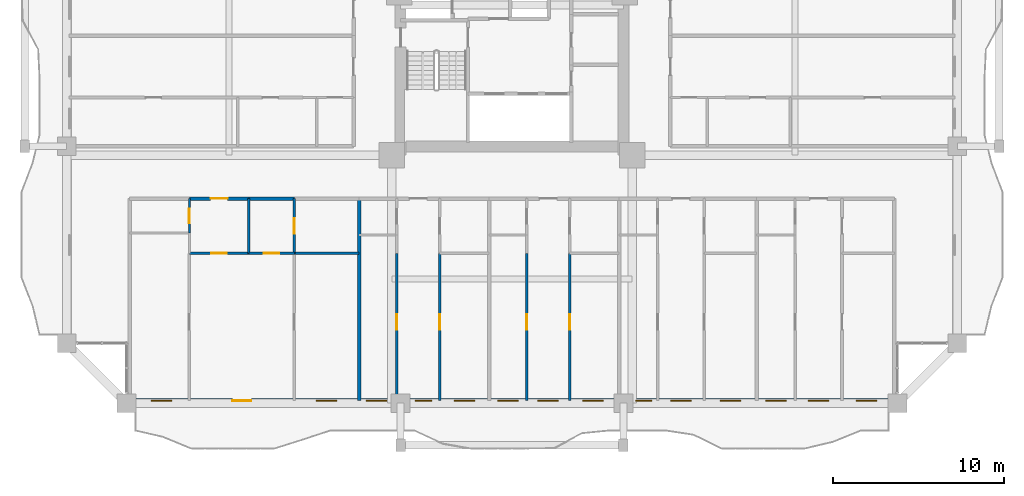
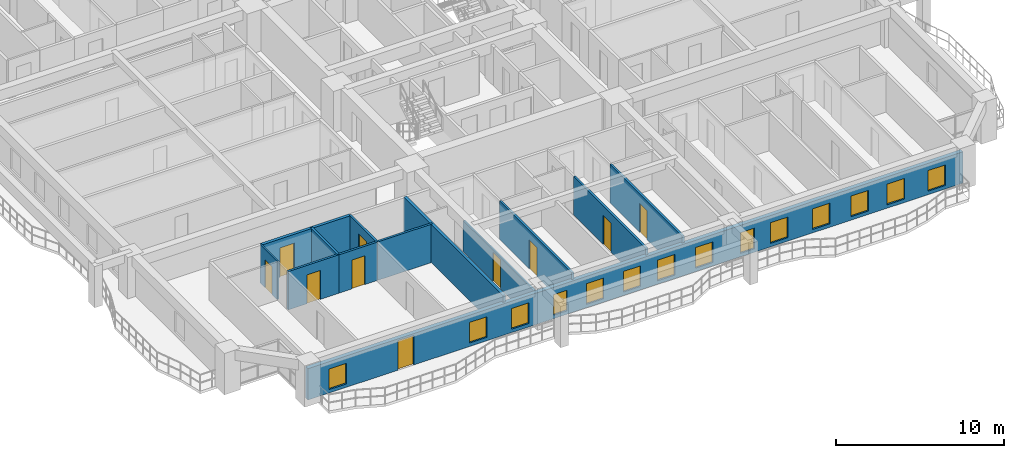
# One storey, part 14 of 28: 14 walls, 14 windows, 10 doors, 24 openings.
"""IFC4 building model written with IfcOpenShell, lengths in metres."""

from ifc_helpers import new_model, si_unit, direction, frame, frame_2d, origin, place, context, subcontext, project, spatial, rectangle, extrude, source, transform, mapped, material, layer, layer_set, type_object, element, fill, save


model = new_model("IFC4")

# Units and contexts
model_context = context("Model", 3, precision=1e-05, world=origin(), true_north=direction((0.0, 1.0)))
body_context = subcontext(model_context, "Body", "Model", "MODEL_VIEW")
ifc_project = project(units=[si_unit("LENGTHUNIT", "METRE"), si_unit("AREAUNIT", "SQUARE_METRE"), si_unit("VOLUMEUNIT", "CUBIC_METRE"), si_unit("PLANEANGLEUNIT", "RADIAN"), si_unit("MASSUNIT", "GRAM", prefix="KILO")], contexts=[model_context])

# Site, building, storey
site_placement = place(None, origin())
site = spatial("IfcSite", under=ifc_project, at=site_placement, CompositionType="ELEMENT")
building_placement = place(site_placement, origin())
building = spatial("IfcBuilding", under=site, at=building_placement, Name="Saelheon Loggia Tower", CompositionType="ELEMENT")
storey_placement = place(building_placement, frame((0.0, 0.0, 61.39990234375)))
storey = spatial("IfcBuildingStorey", under=building, at=storey_placement, Name="L19", CompositionType="ELEMENT", Elevation=61.39990234375)

# Wall, openings, windows, door
ifc_material_1 = material(Name="Architectural Precast Concrete C40/50", Category="concrete")
ifc_layer_1 = layer(ifc_material_1, 0.280029296875)
ifc_layer_set_1 = layer_set([ifc_layer_1], Name="Architectural Precast Concrete C40/50")
wall_type_1 = type_object("IfcWallType", Name="Wall_Ext_Loggia_280", PredefinedType="SOLIDWALL", material=ifc_layer_set_1)
wall_1_placement = place(storey_placement, frame((15.5, 3.139892578125, 0.0), z_axis=(0.0, 0.0, 1.0), x_axis=(1.0, 0.0, 0.0)))
wall_1 = element("IfcWall", 1, at=wall_1_placement, inside=storey, type_object=wall_type_1, Name="L19 South Loggia Inner Wall", PredefinedType="SOLIDWALL", context=body_context, shape_type="SweptSolid", body=[
    extrude(rectangle(XDim=45.0, YDim=0.280029296875, at=frame_2d((22.5, 0.0))), origin(), (0.0, 0.0, 1.0), 2.280029296875),
])
opening_1_placement = place(wall_1_placement, frame((1.42578125, 0.0, 0.25)))
opening_1 = element("IfcOpeningElement", 2, at=opening_1_placement, cuts=wall_1, Name="Opening WN-03", PredefinedType="OPENING", context=body_context, shape_type="SweptSolid", body=[
    extrude(rectangle(XDim=1.199951171875, YDim=1.5, at=frame_2d((0.60009765625, 0.75))), frame((0.0, 0.152099609375, 0.0), z_axis=(0.0, -1.0, 0.0), x_axis=(1.0, 0.0, 0.0)), (0.0, 0.0, 1.0), 0.303955078125),
])
opening_2_placement = place(wall_1_placement, frame((7.277587890625, 0.0, 0.0), z_axis=(0.0, 0.0, 1.0), x_axis=(-1.0, 0.0, 0.0)))
opening_2 = element("IfcOpeningElement", 3, at=opening_2_placement, cuts=wall_1, Name="Opening TD1", PredefinedType="OPENING", context=body_context, shape_type="SweptSolid", body=[
    extrude(rectangle(XDim=1.10009765625, YDim=2.14990234375, at=frame_2d((0.550048828125, 1.074951171875))), frame((0.0, 0.152099609375, 0.0), z_axis=(0.0, -1.0, 0.0), x_axis=(1.0, 0.0, 0.0)), (0.0, 0.0, 1.0), 0.303955078125),
])
opening_3_placement = place(wall_1_placement, frame((11.08251953125, 0.0, 0.25)))
opening_3 = element("IfcOpeningElement", 4, at=opening_3_placement, cuts=wall_1, Name="Opening WN-03", PredefinedType="OPENING", context=body_context, shape_type="SweptSolid", body=[
    extrude(rectangle(XDim=1.199951171875, YDim=1.5, at=frame_2d((0.60009765625, 0.75))), frame((0.0, 0.152099609375, 0.0), z_axis=(0.0, -1.0, 0.0), x_axis=(1.0, 0.0, 0.0)), (0.0, 0.0, 1.0), 0.303955078125),
])
opening_4_placement = place(wall_1_placement, frame((13.990966796875, 0.0, 0.25)))
opening_4 = element("IfcOpeningElement", 5, at=opening_4_placement, cuts=wall_1, Name="Opening WN-03", PredefinedType="OPENING", context=body_context, shape_type="SweptSolid", body=[
    extrude(rectangle(XDim=1.199951171875, YDim=1.5, at=frame_2d((0.60009765625, 0.75))), frame((0.0, 0.152099609375, 0.0), z_axis=(0.0, -1.0, 0.0), x_axis=(1.0, 0.0, 0.0)), (0.0, 0.0, 1.0), 0.303955078125),
])
opening_5_placement = place(wall_1_placement, frame((16.8583984375, 0.0, 0.25)))
opening_5 = element("IfcOpeningElement", 6, at=opening_5_placement, cuts=wall_1, Name="Opening WN-04", PredefinedType="OPENING", context=body_context, shape_type="SweptSolid", body=[
    extrude(rectangle(XDim=0.949951171875, YDim=1.5, at=frame_2d((0.47509765625, 0.75))), frame((0.0, 0.152099609375, 0.0), z_axis=(0.0, -1.0, 0.0), x_axis=(1.0, 0.0, 0.0)), (0.0, 0.0, 1.0), 0.303955078125),
])
opening_6_placement = place(wall_1_placement, frame((19.118896484375, 0.0, 0.25)))
opening_6 = element("IfcOpeningElement", 7, at=opening_6_placement, cuts=wall_1, Name="Opening WN-03", PredefinedType="OPENING", context=body_context, shape_type="SweptSolid", body=[
    extrude(rectangle(XDim=1.199951171875, YDim=1.5, at=frame_2d((0.60009765625, 0.75))), frame((0.0, 0.152099609375, 0.0), z_axis=(0.0, -1.0, 0.0), x_axis=(1.0, 0.0, 0.0)), (0.0, 0.0, 1.0), 0.303955078125),
])
opening_7_placement = place(wall_1_placement, frame((21.660888671875, 0.0, 0.25)))
opening_7 = element("IfcOpeningElement", 8, at=opening_7_placement, cuts=wall_1, Name="Opening WN-03", PredefinedType="OPENING", context=body_context, shape_type="SweptSolid", body=[
    extrude(rectangle(XDim=1.199951171875, YDim=1.5, at=frame_2d((0.60009765625, 0.75))), frame((0.0, 0.152099609375, 0.0), z_axis=(0.0, -1.0, 0.0), x_axis=(1.0, 0.0, 0.0)), (0.0, 0.0, 1.0), 0.303955078125),
])
opening_8_placement = place(wall_1_placement, frame((24.01318359375, 0.0, 0.25)))
opening_8 = element("IfcOpeningElement", 9, at=opening_8_placement, cuts=wall_1, Name="Opening WN-03", PredefinedType="OPENING", context=body_context, shape_type="SweptSolid", body=[
    extrude(rectangle(XDim=1.199951171875, YDim=1.5, at=frame_2d((0.60009765625, 0.75))), frame((0.0, 0.152099609375, 0.0), z_axis=(0.0, -1.0, 0.0), x_axis=(1.0, 0.0, 0.0)), (0.0, 0.0, 1.0), 0.303955078125),
])
opening_9_placement = place(wall_1_placement, frame((26.637939453125, 0.0, 0.25)))
opening_9 = element("IfcOpeningElement", 10, at=opening_9_placement, cuts=wall_1, Name="Opening WN-03", PredefinedType="OPENING", context=body_context, shape_type="SweptSolid", body=[
    extrude(rectangle(XDim=1.199951171875, YDim=1.5, at=frame_2d((0.60009765625, 0.75))), frame((0.0, 0.152099609375, 0.0), z_axis=(0.0, -1.0, 0.0), x_axis=(1.0, 0.0, 0.0)), (0.0, 0.0, 1.0), 0.303955078125),
])
opening_10_placement = place(wall_1_placement, frame((29.7197265625, 0.0, 0.25)))
opening_10 = element("IfcOpeningElement", 11, at=opening_10_placement, cuts=wall_1, Name="Opening WN-04", PredefinedType="OPENING", context=body_context, shape_type="SweptSolid", body=[
    extrude(rectangle(XDim=0.949951171875, YDim=1.5, at=frame_2d((0.47509765625, 0.75))), frame((0.0, 0.152099609375, 0.0), z_axis=(0.0, -1.0, 0.0), x_axis=(1.0, 0.0, 0.0)), (0.0, 0.0, 1.0), 0.303955078125),
])
opening_11_placement = place(wall_1_placement, frame((31.765380859375, 0.0, 0.25)))
opening_11 = element("IfcOpeningElement", 12, at=opening_11_placement, cuts=wall_1, Name="Opening WN-03", PredefinedType="OPENING", context=body_context, shape_type="SweptSolid", body=[
    extrude(rectangle(XDim=1.199951171875, YDim=1.5, at=frame_2d((0.60009765625, 0.75))), frame((0.0, 0.152099609375, 0.0), z_axis=(0.0, -1.0, 0.0), x_axis=(1.0, 0.0, 0.0)), (0.0, 0.0, 1.0), 0.303955078125),
])
opening_12_placement = place(wall_1_placement, frame((34.658203125, 0.0, 0.25)))
opening_12 = element("IfcOpeningElement", 13, at=opening_12_placement, cuts=wall_1, Name="Opening WN-03", PredefinedType="OPENING", context=body_context, shape_type="SweptSolid", body=[
    extrude(rectangle(XDim=1.199951171875, YDim=1.5, at=frame_2d((0.60009765625, 0.75))), frame((0.0, 0.152099609375, 0.0), z_axis=(0.0, -1.0, 0.0), x_axis=(1.0, 0.0, 0.0)), (0.0, 0.0, 1.0), 0.303955078125),
])
opening_13_placement = place(wall_1_placement, frame((37.309814453125, 0.0, 0.25)))
opening_13 = element("IfcOpeningElement", 14, at=opening_13_placement, cuts=wall_1, Name="Opening WN-03", PredefinedType="OPENING", context=body_context, shape_type="SweptSolid", body=[
    extrude(rectangle(XDim=1.199951171875, YDim=1.5, at=frame_2d((0.60009765625, 0.75))), frame((0.0, 0.152099609375, 0.0), z_axis=(0.0, -1.0, 0.0), x_axis=(1.0, 0.0, 0.0)), (0.0, 0.0, 1.0), 0.303955078125),
])
opening_14_placement = place(wall_1_placement, frame((39.800537109375, 0.0, 0.25)))
opening_14 = element("IfcOpeningElement", 15, at=opening_14_placement, cuts=wall_1, Name="Opening WN-03", PredefinedType="OPENING", context=body_context, shape_type="SweptSolid", body=[
    extrude(rectangle(XDim=1.199951171875, YDim=1.5, at=frame_2d((0.60009765625, 0.75))), frame((0.0, 0.152099609375, 0.0), z_axis=(0.0, -1.0, 0.0), x_axis=(1.0, 0.0, 0.0)), (0.0, 0.0, 1.0), 0.303955078125),
])
opening_15_placement = place(wall_1_placement, frame((42.58837890625, 0.0, 0.25)))
opening_15 = element("IfcOpeningElement", 16, at=opening_15_placement, cuts=wall_1, Name="Opening WN-03", PredefinedType="OPENING", context=body_context, shape_type="SweptSolid", body=[
    extrude(rectangle(XDim=1.199951171875, YDim=1.5, at=frame_2d((0.60009765625, 0.75))), frame((0.0, 0.152099609375, 0.0), z_axis=(0.0, -1.0, 0.0), x_axis=(1.0, 0.0, 0.0)), (0.0, 0.0, 1.0), 0.303955078125),
])
ifc_material_2 = material(Name="Thermal-Break Aluminium and Triple Low-E Glass", Category="aluminium")
window_type_1 = type_object("IfcWindowType", Name="Win_Bedroom_1200x1500", PartitioningType="SINGLE_PANEL", PredefinedType="WINDOW", material=ifc_material_2)
shared_shape_1 = source(origin(), body_context, "Body", "SweptSolid", [
    extrude(rectangle(XDim=1.199951171875, YDim=1.5, at=frame_2d((0.60009765625, 0.75))), frame((0.0, 0.030029296875, 0.0), z_axis=(0.0, -1.0, 0.0), x_axis=(1.0, 0.0, 0.0)), (0.0, 0.0, 1.0), 0.06005859375),
])
window_1_placement = place(opening_1_placement, origin())
window_1 = element("IfcWindow", 17, at=window_1_placement, inside=storey, type_object=window_type_1, Name="L19 S Dwelling Window 1", OverallHeight=1.5, OverallWidth=1.199951171875, PartitioningType="SINGLE_PANEL", PredefinedType="WINDOW", context=body_context, shape_type="MappedRepresentation", body=[
    mapped(shared_shape_1, transform((0.0, 0.0, 0.0), scale=1.0)),
])
fill(opening_1, window_1)
window_2_placement = place(opening_3_placement, origin())
window_2 = element("IfcWindow", 18, at=window_2_placement, inside=storey, type_object=window_type_1, Name="L19 S Dwelling Window 3", OverallHeight=1.5, OverallWidth=1.199951171875, PartitioningType="SINGLE_PANEL", PredefinedType="WINDOW", context=body_context, shape_type="MappedRepresentation", body=[
    mapped(shared_shape_1, transform((0.0, 0.0, 0.0), scale=1.0)),
])
fill(opening_3, window_2)
window_3_placement = place(opening_4_placement, origin())
window_3 = element("IfcWindow", 19, at=window_3_placement, inside=storey, type_object=window_type_1, Name="L19 S Dwelling Window 4", OverallHeight=1.5, OverallWidth=1.199951171875, PartitioningType="SINGLE_PANEL", PredefinedType="WINDOW", context=body_context, shape_type="MappedRepresentation", body=[
    mapped(shared_shape_1, transform((0.0, 0.0, 0.0), scale=1.0)),
])
fill(opening_4, window_3)
window_4_placement = place(opening_6_placement, origin())
window_4 = element("IfcWindow", 20, at=window_4_placement, inside=storey, type_object=window_type_1, Name="L19 S Dwelling Window 6", OverallHeight=1.5, OverallWidth=1.199951171875, PartitioningType="SINGLE_PANEL", PredefinedType="WINDOW", context=body_context, shape_type="MappedRepresentation", body=[
    mapped(shared_shape_1, transform((0.0, 0.0, 0.0), scale=1.0)),
])
fill(opening_6, window_4)
window_5_placement = place(opening_7_placement, origin())
window_5 = element("IfcWindow", 21, at=window_5_placement, inside=storey, type_object=window_type_1, Name="L19 S Dwelling Window 7", OverallHeight=1.5, OverallWidth=1.199951171875, PartitioningType="SINGLE_PANEL", PredefinedType="WINDOW", context=body_context, shape_type="MappedRepresentation", body=[
    mapped(shared_shape_1, transform((0.0, 0.0, 0.0), scale=1.0)),
])
fill(opening_7, window_5)
window_6_placement = place(opening_8_placement, origin())
window_6 = element("IfcWindow", 22, at=window_6_placement, inside=storey, type_object=window_type_1, Name="L19 S Dwelling Window 8", OverallHeight=1.5, OverallWidth=1.199951171875, PartitioningType="SINGLE_PANEL", PredefinedType="WINDOW", context=body_context, shape_type="MappedRepresentation", body=[
    mapped(shared_shape_1, transform((0.0, 0.0, 0.0), scale=1.0)),
])
fill(opening_8, window_6)
window_7_placement = place(opening_9_placement, origin())
window_7 = element("IfcWindow", 23, at=window_7_placement, inside=storey, type_object=window_type_1, Name="L19 S Dwelling Window 9", OverallHeight=1.5, OverallWidth=1.199951171875, PartitioningType="SINGLE_PANEL", PredefinedType="WINDOW", context=body_context, shape_type="MappedRepresentation", body=[
    mapped(shared_shape_1, transform((0.0, 0.0, 0.0), scale=1.0)),
])
fill(opening_9, window_7)
window_8_placement = place(opening_11_placement, origin())
window_8 = element("IfcWindow", 24, at=window_8_placement, inside=storey, type_object=window_type_1, Name="L19 S Dwelling Window 11", OverallHeight=1.5, OverallWidth=1.199951171875, PartitioningType="SINGLE_PANEL", PredefinedType="WINDOW", context=body_context, shape_type="MappedRepresentation", body=[
    mapped(shared_shape_1, transform((0.0, 0.0, 0.0), scale=1.0)),
])
fill(opening_11, window_8)
window_9_placement = place(opening_12_placement, origin())
window_9 = element("IfcWindow", 25, at=window_9_placement, inside=storey, type_object=window_type_1, Name="L19 S Dwelling Window 12", OverallHeight=1.5, OverallWidth=1.199951171875, PartitioningType="SINGLE_PANEL", PredefinedType="WINDOW", context=body_context, shape_type="MappedRepresentation", body=[
    mapped(shared_shape_1, transform((0.0, 0.0, 0.0), scale=1.0)),
])
fill(opening_12, window_9)
window_10_placement = place(opening_13_placement, origin())
window_10 = element("IfcWindow", 26, at=window_10_placement, inside=storey, type_object=window_type_1, Name="L19 S Dwelling Window 13", OverallHeight=1.5, OverallWidth=1.199951171875, PartitioningType="SINGLE_PANEL", PredefinedType="WINDOW", context=body_context, shape_type="MappedRepresentation", body=[
    mapped(shared_shape_1, transform((0.0, 0.0, 0.0), scale=1.0)),
])
fill(opening_13, window_10)
window_11_placement = place(opening_14_placement, origin())
window_11 = element("IfcWindow", 27, at=window_11_placement, inside=storey, type_object=window_type_1, Name="L19 S Dwelling Window 14", OverallHeight=1.5, OverallWidth=1.199951171875, PartitioningType="SINGLE_PANEL", PredefinedType="WINDOW", context=body_context, shape_type="MappedRepresentation", body=[
    mapped(shared_shape_1, transform((0.0, 0.0, 0.0), scale=1.0)),
])
fill(opening_14, window_11)
window_12_placement = place(opening_15_placement, origin())
window_12 = element("IfcWindow", 28, at=window_12_placement, inside=storey, type_object=window_type_1, Name="L19 S Dwelling Window 15", OverallHeight=1.5, OverallWidth=1.199951171875, PartitioningType="SINGLE_PANEL", PredefinedType="WINDOW", context=body_context, shape_type="MappedRepresentation", body=[
    mapped(shared_shape_1, transform((0.0, 0.0, 0.0), scale=1.0)),
])
fill(opening_15, window_12)
ifc_material_3 = material(Name="Thermal-Break Aluminium Glazed Door", Category="aluminium")
door_type_1 = type_object("IfcDoorType", Name="Door_Terrace_TD1", OperationType="NOTDEFINED", PredefinedType="DOOR", material=ifc_material_3)
shared_shape_2 = source(origin(), body_context, "Body", "SweptSolid", [
    extrude(rectangle(XDim=1.10009765625, YDim=2.14990234375, at=frame_2d((0.550048828125, 1.074951171875))), frame((0.0, 0.02490234375, 0.0), z_axis=(0.0, -1.0, 0.0), x_axis=(1.0, 0.0, 0.0)), (0.0, 0.0, 1.0), 0.050048828125),
])
door_1_placement = place(opening_2_placement, origin())
door_1 = element("IfcDoor", 29, at=door_1_placement, inside=storey, type_object=door_type_1, Name="L19 S Loggia Access Door", OperationType="SINGLE_SWING_RIGHT", OverallHeight=2.14990234375, OverallWidth=1.10009765625, PredefinedType="DOOR", context=body_context, shape_type="MappedRepresentation", body=[
    mapped(shared_shape_2, transform((0.0, 0.0, 0.0), scale=1.0)),
])
fill(opening_2, door_1)
window_type_2 = type_object("IfcWindowType", Name="Win_Narrow_950x1500", PartitioningType="SINGLE_PANEL", PredefinedType="WINDOW", material=ifc_material_2)
shared_shape_3 = source(origin(), body_context, "Body", "SweptSolid", [
    extrude(rectangle(XDim=0.949951171875, YDim=1.5, at=frame_2d((0.47509765625, 0.75))), frame((0.0, 0.030029296875, 0.0), z_axis=(0.0, -1.0, 0.0), x_axis=(1.0, 0.0, 0.0)), (0.0, 0.0, 1.0), 0.06005859375),
])
window_13_placement = place(opening_5_placement, origin())
window_13 = element("IfcWindow", 30, at=window_13_placement, inside=storey, type_object=window_type_2, Name="L19 S Dwelling Window 5", OverallHeight=1.5, OverallWidth=0.949951171875, PartitioningType="SINGLE_PANEL", PredefinedType="WINDOW", context=body_context, shape_type="MappedRepresentation", body=[
    mapped(shared_shape_3, transform((0.0, 0.0, 0.0), scale=1.0)),
])
fill(opening_5, window_13)
window_14_placement = place(opening_10_placement, origin())
window_14 = element("IfcWindow", 31, at=window_14_placement, inside=storey, type_object=window_type_2, Name="L19 S Dwelling Window 10", OverallHeight=1.5, OverallWidth=0.949951171875, PartitioningType="SINGLE_PANEL", PredefinedType="WINDOW", context=body_context, shape_type="MappedRepresentation", body=[
    mapped(shared_shape_3, transform((0.0, 0.0, 0.0), scale=1.0)),
])
fill(opening_10, window_14)

# Wall
ifc_material_4 = material(Name="Lightweight Autoclaved Aerated Concrete Block and Acoustic Gypsum", Category="concrete")
ifc_layer_2 = layer(ifc_material_4, 0.14990234375)
ifc_layer_set_2 = layer_set([ifc_layer_2], Name="Lightweight Autoclaved Aerated Concrete Block and Acoustic Gypsum")
wall_type_2 = type_object("IfcWallType", Name="Wall_Part_150", PredefinedType="PARTITIONING", material=ifc_layer_set_2)
wall_2_placement = place(storey_placement, frame((22.642822265625, 14.949951171875, 0.0), z_axis=(0.0, 0.0, 1.0), x_axis=(0.0, -1.0, 0.0)))
element("IfcWall", 32, at=wall_2_placement, inside=storey, type_object=wall_type_2, Name="L19 S Partition U06", PredefinedType="PARTITIONING", context=body_context, shape_type="SweptSolid", body=[
    extrude(rectangle(XDim=3.199951171875, YDim=0.14990234375, at=frame_2d((1.60009765625, 0.0))), origin(), (0.0, 0.0, 1.0), 2.7900390625),
])

# Wall, opening, door
wall_3_placement = place(storey_placement, frame((19.161865234375, 11.75, 0.0), z_axis=(0.0, 0.0, 1.0), x_axis=(1.0, 0.0, 0.0)))
wall_3 = element("IfcWall", 33, at=wall_3_placement, inside=storey, type_object=wall_type_2, Name="L19 S Partition V07", PredefinedType="PARTITIONING", context=body_context, shape_type="SweptSolid", body=[
    extrude(rectangle(XDim=3.48095703125, YDim=0.14990234375, at=frame_2d((1.740478515625, 0.0))), origin(), (0.0, 0.0, 1.0), 2.7900390625),
])
opening_16_placement = place(wall_3_placement, frame((1.29052734375, 0.0, 0.0)))
opening_16 = element("IfcOpeningElement", 34, at=opening_16_placement, cuts=wall_3, Name="Opening D-IN2", PredefinedType="OPENING", context=body_context, shape_type="SweptSolid", body=[
    extrude(rectangle(XDim=0.89990234375, YDim=2.10009765625, at=frame_2d((0.449951171875, 1.050048828125))), frame((0.0, 0.0869140625, 0.0), z_axis=(0.0, -1.0, 0.0), x_axis=(1.0, 0.0, 0.0)), (0.0, 0.0, 1.0), 0.173828125),
])
ifc_material_5 = material(Name="Engineered Oak Flush Door", Category="timber")
door_type_2 = type_object("IfcDoorType", Name="Door_Int_900", OperationType="NOTDEFINED", PredefinedType="DOOR", material=ifc_material_5)
shared_shape_4 = source(origin(), body_context, "Body", "SweptSolid", [
    extrude(rectangle(XDim=0.89990234375, YDim=2.10009765625, at=frame_2d((0.449951171875, 1.050048828125))), frame((0.0, 0.02490234375, 0.0), z_axis=(0.0, -1.0, 0.0), x_axis=(1.0, 0.0, 0.0)), (0.0, 0.0, 1.0), 0.050048828125),
])
door_2_placement = place(opening_16_placement, origin())
door_2 = element("IfcDoor", 35, at=door_2_placement, inside=storey, type_object=door_type_2, Name="Unit U01 Living Door", OperationType="SINGLE_SWING_RIGHT", OverallHeight=2.10009765625, OverallWidth=0.89990234375, PredefinedType="DOOR", context=body_context, shape_type="MappedRepresentation", body=[
    mapped(shared_shape_4, transform((0.0, 0.0, 0.0), scale=1.0)),
])
fill(opening_16, door_2)

wall_4_placement = place(storey_placement, frame((22.642822265625, 11.75, 0.0), z_axis=(0.0, 0.0, 1.0), x_axis=(1.0, 0.0, 0.0)))
wall_4 = element("IfcWall", 36, at=wall_4_placement, inside=storey, type_object=wall_type_2, Name="L19 S Partition V08", PredefinedType="PARTITIONING", context=body_context, shape_type="SweptSolid", body=[
    extrude(rectangle(XDim=2.650146484375, YDim=0.14990234375, at=frame_2d((1.3251953125, 0.0))), origin(), (0.0, 0.0, 1.0), 2.7900390625),
])
opening_17_placement = place(wall_4_placement, frame((0.875, 0.0, 0.0)))
opening_17 = element("IfcOpeningElement", 37, at=opening_17_placement, cuts=wall_4, Name="Opening D-IN2", PredefinedType="OPENING", context=body_context, shape_type="SweptSolid", body=[
    extrude(rectangle(XDim=0.89990234375, YDim=2.10009765625, at=frame_2d((0.449951171875, 1.050048828125))), frame((0.0, 0.0869140625, 0.0), z_axis=(0.0, -1.0, 0.0), x_axis=(1.0, 0.0, 0.0)), (0.0, 0.0, 1.0), 0.173828125),
])
door_3_placement = place(opening_17_placement, origin())
door_3 = element("IfcDoor", 38, at=door_3_placement, inside=storey, type_object=door_type_2, Name="Unit U01 Dressing Closet Door", OperationType="SINGLE_SWING_LEFT", OverallHeight=2.10009765625, OverallWidth=0.89990234375, PredefinedType="DOOR", context=body_context, shape_type="MappedRepresentation", body=[
    mapped(shared_shape_4, transform((0.0, 0.0, 0.0), scale=1.0)),
])
fill(opening_17, door_3)

# Wall
wall_5_placement = place(storey_placement, frame((25.29296875, 11.75, 0.0), z_axis=(0.0, 0.0, 1.0), x_axis=(1.0, 0.0, 0.0)))
element("IfcWall", 39, at=wall_5_placement, inside=storey, type_object=wall_type_2, Name="L19 S Partition V11", PredefinedType="PARTITIONING", context=body_context, shape_type="SweptSolid", body=[
    extrude(rectangle(XDim=3.779052734375, YDim=0.14990234375, at=frame_2d((1.8896484375, 0.0))), origin(), (0.0, 0.0, 1.0), 2.7900390625),
])

# Wall, opening, door
wall_6_placement = place(storey_placement, frame((25.29296875, 14.949951171875, 0.0), z_axis=(0.0, 0.0, 1.0), x_axis=(0.0, -1.0, 0.0)))
wall_6 = element("IfcWall", 40, at=wall_6_placement, inside=storey, type_object=wall_type_2, Name="L19 S Partition U15", PredefinedType="PARTITIONING", context=body_context, shape_type="SweptSolid", body=[
    extrude(rectangle(XDim=3.199951171875, YDim=0.14990234375, at=frame_2d((1.60009765625, 0.0))), origin(), (0.0, 0.0, 1.0), 2.7900390625),
])
opening_18_placement = place(wall_6_placement, frame((1.14990234375, 0.0, 0.0)))
opening_18 = element("IfcOpeningElement", 41, at=opening_18_placement, cuts=wall_6, Name="Opening D-IN2", PredefinedType="OPENING", context=body_context, shape_type="SweptSolid", body=[
    extrude(rectangle(XDim=0.89990234375, YDim=2.10009765625, at=frame_2d((0.449951171875, 1.050048828125))), frame((0.0, 0.0869140625, 0.0), z_axis=(0.0, -1.0, 0.0), x_axis=(1.0, 0.0, 0.0)), (0.0, 0.0, 1.0), 0.173828125),
])
door_4_placement = place(opening_18_placement, origin())
door_4 = element("IfcDoor", 42, at=door_4_placement, inside=storey, type_object=door_type_2, Name="Unit U01 Kitchen Door", OperationType="SINGLE_SWING_RIGHT", OverallHeight=2.10009765625, OverallWidth=0.89990234375, PredefinedType="DOOR", context=body_context, shape_type="MappedRepresentation", body=[
    mapped(shared_shape_4, transform((0.0, 0.0, 0.0), scale=1.0)),
])
fill(opening_18, door_4)

wall_7_placement = place(storey_placement, frame((31.27197265625, 11.75, 0.0), z_axis=(0.0, 0.0, 1.0), x_axis=(0.0, -1.0, 0.0)))
wall_7 = element("IfcWall", 43, at=wall_7_placement, inside=storey, type_object=wall_type_2, Name="L19 S Partition U25", PredefinedType="PARTITIONING", context=body_context, shape_type="SweptSolid", body=[
    extrude(rectangle(XDim=8.60009765625, YDim=0.14990234375, at=frame_2d((4.300048828125, 0.0))), origin(), (0.0, 0.0, 1.0), 2.239990234375),
])
opening_19_placement = place(wall_7_placement, frame((3.54931640625, 0.0, 0.0)))
opening_19 = element("IfcOpeningElement", 44, at=opening_19_placement, cuts=wall_7, Name="Opening D-IN2", PredefinedType="OPENING", context=body_context, shape_type="SweptSolid", body=[
    extrude(rectangle(XDim=0.89990234375, YDim=2.10009765625, at=frame_2d((0.449951171875, 1.050048828125))), frame((0.0, 0.0869140625, 0.0), z_axis=(0.0, -1.0, 0.0), x_axis=(1.0, 0.0, 0.0)), (0.0, 0.0, 1.0), 0.173828125),
])
door_5_placement = place(opening_19_placement, origin())
door_5 = element("IfcDoor", 45, at=door_5_placement, inside=storey, type_object=door_type_2, Name="Unit U02 Kitchen Door", OperationType="SINGLE_SWING_RIGHT", OverallHeight=2.10009765625, OverallWidth=0.89990234375, PredefinedType="DOOR", context=body_context, shape_type="MappedRepresentation", body=[
    mapped(shared_shape_4, transform((0.0, 0.0, 0.0), scale=1.0)),
])
fill(opening_19, door_5)

wall_8_placement = place(storey_placement, frame((33.777099609375, 11.75, 0.0), z_axis=(0.0, 0.0, 1.0), x_axis=(0.0, -1.0, 0.0)))
wall_8 = element("IfcWall", 46, at=wall_8_placement, inside=storey, type_object=wall_type_2, Name="L19 S Partition U27", PredefinedType="PARTITIONING", context=body_context, shape_type="SweptSolid", body=[
    extrude(rectangle(XDim=8.60009765625, YDim=0.14990234375, at=frame_2d((4.300048828125, 0.0))), origin(), (0.0, 0.0, 1.0), 2.7900390625),
])
opening_20_placement = place(wall_8_placement, frame((3.54931640625, 0.0, 0.0)))
opening_20 = element("IfcOpeningElement", 47, at=opening_20_placement, cuts=wall_8, Name="Opening D-IN2", PredefinedType="OPENING", context=body_context, shape_type="SweptSolid", body=[
    extrude(rectangle(XDim=0.89990234375, YDim=2.10009765625, at=frame_2d((0.449951171875, 1.050048828125))), frame((0.0, 0.0869140625, 0.0), z_axis=(0.0, -1.0, 0.0), x_axis=(1.0, 0.0, 0.0)), (0.0, 0.0, 1.0), 0.173828125),
])
door_6_placement = place(opening_20_placement, origin())
door_6 = element("IfcDoor", 48, at=door_6_placement, inside=storey, type_object=door_type_2, Name="Unit U02 Bedroom 1 Door", OperationType="SINGLE_SWING_RIGHT", OverallHeight=2.10009765625, OverallWidth=0.89990234375, PredefinedType="DOOR", context=body_context, shape_type="MappedRepresentation", body=[
    mapped(shared_shape_4, transform((0.0, 0.0, 0.0), scale=1.0)),
])
fill(opening_20, door_6)

wall_9_placement = place(storey_placement, frame((38.86083984375, 11.75, 0.0), z_axis=(0.0, 0.0, 1.0), x_axis=(0.0, -1.0, 0.0)))
wall_9 = element("IfcWall", 49, at=wall_9_placement, inside=storey, type_object=wall_type_2, Name="L19 S Partition U36", PredefinedType="PARTITIONING", context=body_context, shape_type="SweptSolid", body=[
    extrude(rectangle(XDim=8.60009765625, YDim=0.14990234375, at=frame_2d((4.300048828125, 0.0))), origin(), (0.0, 0.0, 1.0), 2.7900390625),
])
opening_21_placement = place(wall_9_placement, frame((3.54931640625, 0.0, 0.0)))
opening_21 = element("IfcOpeningElement", 50, at=opening_21_placement, cuts=wall_9, Name="Opening D-IN2", PredefinedType="OPENING", context=body_context, shape_type="SweptSolid", body=[
    extrude(rectangle(XDim=0.89990234375, YDim=2.10009765625, at=frame_2d((0.449951171875, 1.050048828125))), frame((0.0, 0.0869140625, 0.0), z_axis=(0.0, -1.0, 0.0), x_axis=(1.0, 0.0, 0.0)), (0.0, 0.0, 1.0), 0.173828125),
])
door_7_placement = place(opening_21_placement, origin())
door_7 = element("IfcDoor", 51, at=door_7_placement, inside=storey, type_object=door_type_2, Name="Unit U03 Kitchen Door", OperationType="SINGLE_SWING_LEFT", OverallHeight=2.10009765625, OverallWidth=0.89990234375, PredefinedType="DOOR", context=body_context, shape_type="MappedRepresentation", body=[
    mapped(shared_shape_4, transform((0.0, 0.0, 0.0), scale=1.0)),
])
fill(opening_21, door_7)

wall_10_placement = place(storey_placement, frame((41.365966796875, 11.75, 0.0), z_axis=(0.0, 0.0, 1.0), x_axis=(0.0, -1.0, 0.0)))
wall_10 = element("IfcWall", 52, at=wall_10_placement, inside=storey, type_object=wall_type_2, Name="L19 S Partition U38", PredefinedType="PARTITIONING", context=body_context, shape_type="SweptSolid", body=[
    extrude(rectangle(XDim=8.60009765625, YDim=0.14990234375, at=frame_2d((4.300048828125, 0.0))), origin(), (0.0, 0.0, 1.0), 2.7900390625),
])
opening_22_placement = place(wall_10_placement, frame((3.54931640625, 0.0, 0.0)))
opening_22 = element("IfcOpeningElement", 53, at=opening_22_placement, cuts=wall_10, Name="Opening D-IN2", PredefinedType="OPENING", context=body_context, shape_type="SweptSolid", body=[
    extrude(rectangle(XDim=0.89990234375, YDim=2.10009765625, at=frame_2d((0.449951171875, 1.050048828125))), frame((0.0, 0.0869140625, 0.0), z_axis=(0.0, -1.0, 0.0), x_axis=(1.0, 0.0, 0.0)), (0.0, 0.0, 1.0), 0.173828125),
])
door_8_placement = place(opening_22_placement, origin())
door_8 = element("IfcDoor", 54, at=door_8_placement, inside=storey, type_object=door_type_2, Name="Unit U03 Bedroom 1 Door", OperationType="SINGLE_SWING_LEFT", OverallHeight=2.10009765625, OverallWidth=0.89990234375, PredefinedType="DOOR", context=body_context, shape_type="MappedRepresentation", body=[
    mapped(shared_shape_4, transform((0.0, 0.0, 0.0), scale=1.0)),
])
fill(opening_22, door_8)

ifc_material_6 = material(Name="Double Acoustic Stud and Fireboard Partition", Category="gypsum")
ifc_layer_3 = layer(ifc_material_6, 0.199951171875)
ifc_layer_set_3 = layer_set([ifc_layer_3], Name="Double Acoustic Stud and Fireboard Partition")
wall_type_3 = type_object("IfcWallType", Name="Wall_Party_200", PredefinedType="PARTITIONING", material=ifc_layer_set_3)
wall_11_placement = place(storey_placement, frame((19.161865234375, 14.949951171875, 0.0), z_axis=(0.0, 0.0, 1.0), x_axis=(1.0, 0.0, 0.0)))
wall_11 = element("IfcWall", 55, at=wall_11_placement, inside=storey, type_object=wall_type_3, Name="L19 S Partition V04", PredefinedType="PARTITIONING", context=body_context, shape_type="SweptSolid", body=[
    extrude(rectangle(XDim=3.48095703125, YDim=0.199951171875, at=frame_2d((1.740478515625, 0.0))), origin(), (0.0, 0.0, 1.0), 2.7900390625),
])
opening_23_placement = place(wall_11_placement, frame((1.240478515625, 0.0, 0.0)))
opening_23 = element("IfcOpeningElement", 56, at=opening_23_placement, cuts=wall_11, Name="Opening D-FD1", PredefinedType="OPENING", context=body_context, shape_type="SweptSolid", body=[
    extrude(rectangle(XDim=1.0, YDim=2.14990234375, at=frame_2d((0.5, 1.074951171875))), frame((0.0, 0.112060546875, 0.0), z_axis=(0.0, -1.0, 0.0), x_axis=(1.0, 0.0, 0.0)), (0.0, 0.0, 1.0), 0.223876953125),
])
ifc_material_7 = material(Name="Fire-Rated Engineered Timber Entrance Door", Category="wood")
door_type_3 = type_object("IfcDoorType", Name="Door_Flat_FD30S", OperationType="NOTDEFINED", PredefinedType="DOOR", material=ifc_material_7)
shared_shape_5 = source(origin(), body_context, "Body", "SweptSolid", [
    extrude(rectangle(XDim=1.0, YDim=2.14990234375, at=frame_2d((0.5, 1.074951171875))), frame((0.0, 0.02490234375, 0.0), z_axis=(0.0, -1.0, 0.0), x_axis=(1.0, 0.0, 0.0)), (0.0, 0.0, 1.0), 0.050048828125),
])
door_9_placement = place(opening_23_placement, origin())
door_9 = element("IfcDoor", 57, at=door_9_placement, inside=storey, type_object=door_type_3, Name="Unit U01 Entrance Door", OperationType="SINGLE_SWING_LEFT", OverallHeight=2.14990234375, OverallWidth=1.0, PredefinedType="DOOR", context=body_context, shape_type="MappedRepresentation", body=[
    mapped(shared_shape_5, transform((0.0, 0.0, 0.0), scale=1.0)),
])
fill(opening_23, door_9)

# Walls
wall_12_placement = place(storey_placement, frame((22.642822265625, 14.949951171875, 0.0), z_axis=(0.0, 0.0, 1.0), x_axis=(1.0, 0.0, 0.0)))
element("IfcWall", 58, at=wall_12_placement, inside=storey, type_object=wall_type_3, Name="L19 S Partition V05", PredefinedType="PARTITIONING", context=body_context, shape_type="SweptSolid", body=[
    extrude(rectangle(XDim=2.650146484375, YDim=0.199951171875, at=frame_2d((1.3251953125, 0.0))), origin(), (0.0, 0.0, 1.0), 2.7900390625),
])
wall_13_placement = place(storey_placement, frame((29.072021484375, 14.949951171875, 0.0), z_axis=(0.0, 0.0, 1.0), x_axis=(0.0, -1.0, 0.0)))
element("IfcWall", 59, at=wall_13_placement, inside=storey, type_object=wall_type_3, Name="L19 S Partition U17", PredefinedType="PARTITIONING", context=body_context, shape_type="SweptSolid", body=[
    extrude(rectangle(XDim=11.800048828125, YDim=0.199951171875, at=frame_2d((5.89990234375, 0.0))), origin(), (0.0, 0.0, 1.0), 2.7900390625),
])

# Wall, opening, door
ifc_material_8 = material(Name="Moisture-Resistant Cement Board Partition", Category="gypsum")
ifc_layer_4 = layer(ifc_material_8, 0.1201171875)
ifc_layer_set_4 = layer_set([ifc_layer_4], Name="Moisture-Resistant Cement Board Partition")
wall_type_4 = type_object("IfcWallType", Name="Wall_WetPart_120", PredefinedType="PARTITIONING", material=ifc_layer_set_4)
wall_14_placement = place(storey_placement, frame((19.161865234375, 14.949951171875, 0.0), z_axis=(0.0, 0.0, 1.0), x_axis=(0.0, -1.0, 0.0)))
wall_14 = element("IfcWall", 60, at=wall_14_placement, inside=storey, type_object=wall_type_4, Name="L19 S Partition U12", PredefinedType="PARTITIONING", context=body_context, shape_type="SweptSolid", body=[
    extrude(rectangle(XDim=2.02001953125, YDim=0.1201171875, at=frame_2d((1.010009765625, 0.0))), origin(), (0.0, 0.0, 1.0), 2.7900390625),
])
opening_24_placement = place(wall_14_placement, frame((0.5849609375, 0.0, 0.0)))
opening_24 = element("IfcOpeningElement", 61, at=opening_24_placement, cuts=wall_14, Name="Opening D-BT1", PredefinedType="OPENING", context=body_context, shape_type="SweptSolid", body=[
    extrude(rectangle(XDim=0.85009765625, YDim=2.050048828125, at=frame_2d((0.425048828125, 1.02490234375))), frame((0.0, 0.072021484375, 0.0), z_axis=(0.0, -1.0, 0.0), x_axis=(1.0, 0.0, 0.0)), (0.0, 0.0, 1.0), 0.14404296875),
])
ifc_material_9 = material(Name="Moisture-Resistant Laminate Timber Door", Category="wood")
door_type_4 = type_object("IfcDoorType", Name="Door_Bath_850", OperationType="NOTDEFINED", PredefinedType="DOOR", material=ifc_material_9)
shared_shape_6 = source(origin(), body_context, "Body", "SweptSolid", [
    extrude(rectangle(XDim=0.85009765625, YDim=2.050048828125, at=frame_2d((0.425048828125, 1.02490234375))), frame((0.0, 0.02490234375, 0.0), z_axis=(0.0, -1.0, 0.0), x_axis=(1.0, 0.0, 0.0)), (0.0, 0.0, 1.0), 0.050048828125),
])
door_10_placement = place(opening_24_placement, origin())
door_10 = element("IfcDoor", 62, at=door_10_placement, inside=storey, type_object=door_type_4, Name="Unit U01 Bathroom Door", OperationType="SINGLE_SWING_RIGHT", OverallHeight=2.050048828125, OverallWidth=0.85009765625, PredefinedType="DOOR", context=body_context, shape_type="MappedRepresentation", body=[
    mapped(shared_shape_6, transform((0.0, 0.0, 0.0), scale=1.0)),
])
fill(opening_24, door_10)

save(model, "model.ifc")
